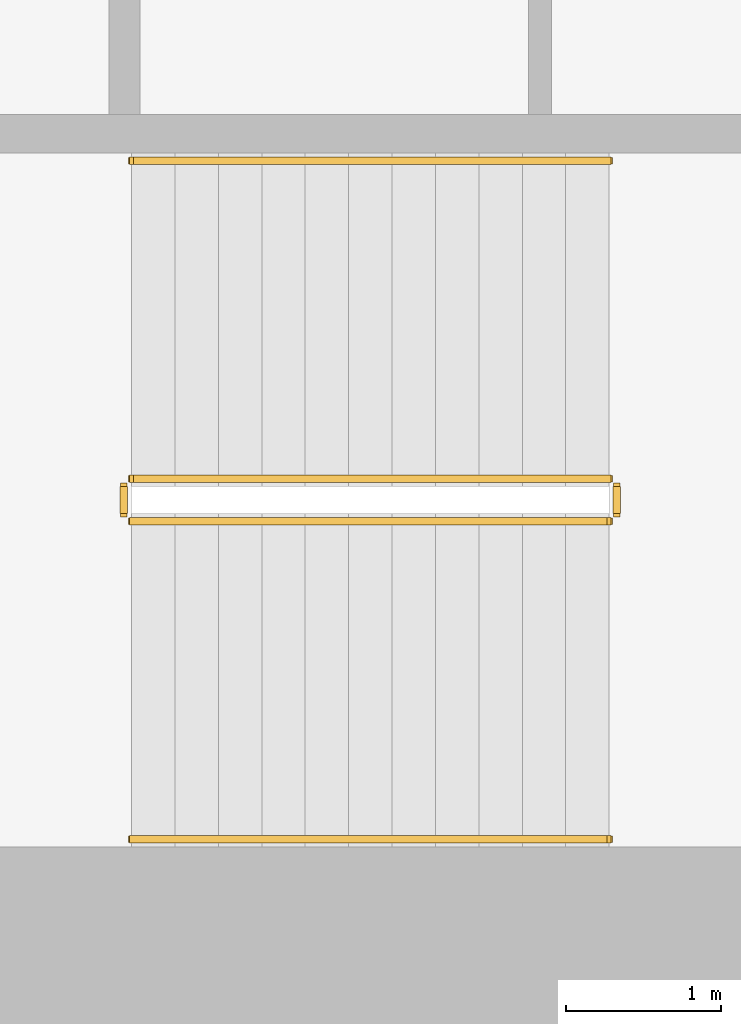
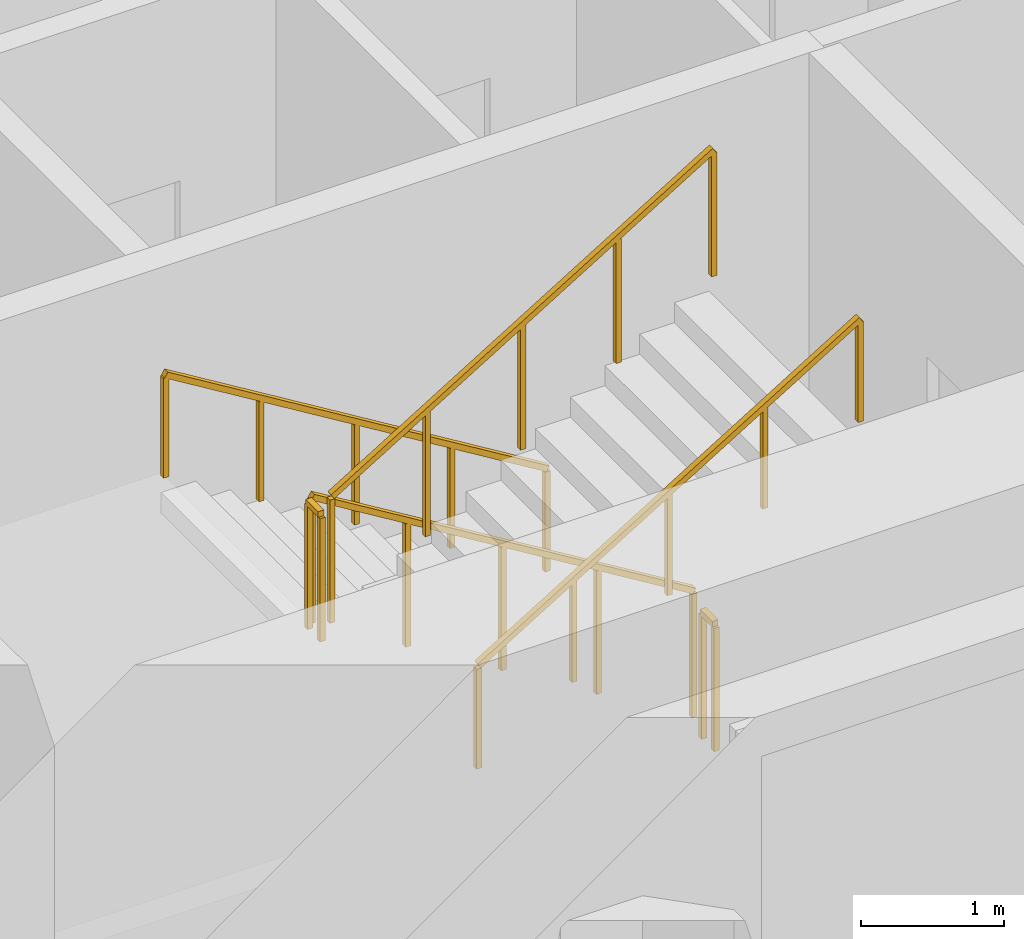
# One storey, part 12 of 17: 6 railings.
"""IFC4 building model written with IfcOpenShell, lengths in metres."""

from ifc_helpers import new_model, si_unit, direction, frame, origin, origin_2d, place, context, subcontext, project, spatial, rectangle, extrude, material, type_object, element, save


model = new_model("IFC4")

# Units and contexts
model_context = context("Model", 3, precision=1e-05, world=origin(), true_north=direction((0.0, 1.0)))
body_context = subcontext(model_context, "Body", "Model", "MODEL_VIEW")
ifc_project = project(units=[si_unit("LENGTHUNIT", "METRE"), si_unit("AREAUNIT", "SQUARE_METRE"), si_unit("VOLUMEUNIT", "CUBIC_METRE"), si_unit("PLANEANGLEUNIT", "RADIAN"), si_unit("MASSUNIT", "GRAM", prefix="KILO")], contexts=[model_context])

# Site, building, storey
site_placement = place(None, origin())
site = spatial("IfcSite", under=ifc_project, at=site_placement, CompositionType="ELEMENT")
building_placement = place(site_placement, origin())
building = spatial("IfcBuilding", under=site, at=building_placement, Name="Cypress Arch Tower", CompositionType="ELEMENT")
storey_placement = place(building_placement, frame((0.0, 0.0, 217.89990234375)))
storey = spatial("IfcBuildingStorey", under=building, at=storey_placement, Name="L48", CompositionType="ELEMENT", Elevation=217.89990234375)

# Railings
ifc_material_1 = material(Name="Black powder-coated steel square bar 48 mm", Category="steel")
railing_type_1 = type_object("IfcRailingType", Name="Stair handrail HR1", PredefinedType="HANDRAIL", material=ifc_material_1)
railing_1_placement = place(storey_placement, frame((-22.27490234375, -10.375, 0.1708984375)))
element("IfcRailing", 1, at=railing_1_placement, inside=storey, type_object=railing_type_1, Name="L48 A stair handrail 1", PredefinedType="HANDRAIL", context=body_context, shape_type="SweptSolid", body=[
    extrude(rectangle(XDim=0.048095703125, YDim=0.048095703125, at=origin_2d()), frame((0.0, 0.0, 0.8759765625), z_axis=(-0.853666305674, 0.0, 0.52082035152), x_axis=(0.0, -1.0, 0.0)), (0.0, 0.0, 1.0), 3.608154296875),
    extrude(rectangle(XDim=0.0419921875, YDim=0.0419921875, at=origin_2d()), origin(), (0.0, 0.0, 1.0), 0.851806640625),
    extrude(rectangle(XDim=0.0419921875, YDim=0.0419921875, at=origin_2d()), frame((-0.77001953125, 0.0, 0.4697265625)), (0.0, 0.0, 1.0), 0.851806640625),
    extrude(rectangle(XDim=0.0419921875, YDim=0.0419921875, at=origin_2d()), frame((-1.5400390625, 0.0, 0.939453125)), (0.0, 0.0, 1.0), 0.851806640625),
    extrude(rectangle(XDim=0.0419921875, YDim=0.0419921875, at=origin_2d()), frame((-2.31005859375, 0.0, 1.409423828125)), (0.0, 0.0, 1.0), 0.851806640625),
    extrude(rectangle(XDim=0.0419921875, YDim=0.0419921875, at=origin_2d()), frame((-3.080078125, 0.0, 1.879150390625)), (0.0, 0.0, 1.0), 0.851806640625),
])
railing_2_placement = place(storey_placement, frame((-25.35498046875, -14.75, 2.220947265625)))
element("IfcRailing", 2, at=railing_2_placement, inside=storey, type_object=railing_type_1, Name="L48 A stair handrail 2", PredefinedType="HANDRAIL", context=body_context, shape_type="SweptSolid", body=[
    extrude(rectangle(XDim=0.048095703125, YDim=0.048095703125, at=origin_2d()), frame((0.0, 0.0, 0.8759765625), z_axis=(0.853666305674, 0.0, 0.52082035152), x_axis=(0.0, 1.0, 0.0)), (0.0, 0.0, 1.0), 3.608154296875),
    extrude(rectangle(XDim=0.0419921875, YDim=0.0419921875, at=origin_2d()), origin(), (0.0, 0.0, 1.0), 0.851806640625),
    extrude(rectangle(XDim=0.0419921875, YDim=0.0419921875, at=origin_2d()), frame((0.77001953125, 0.0, 0.4697265625)), (0.0, 0.0, 1.0), 0.851806640625),
    extrude(rectangle(XDim=0.0419921875, YDim=0.0419921875, at=origin_2d()), frame((1.5400390625, 0.0, 0.939453125)), (0.0, 0.0, 1.0), 0.851806640625),
    extrude(rectangle(XDim=0.0419921875, YDim=0.0419921875, at=origin_2d()), frame((2.31005859375, 0.0, 1.409423828125)), (0.0, 0.0, 1.0), 0.851806640625),
    extrude(rectangle(XDim=0.0419921875, YDim=0.0419921875, at=origin_2d()), frame((3.080078125, 0.0, 1.879150390625)), (0.0, 0.0, 1.0), 0.851806640625),
])
ifc_material_2 = material(Name="Black powder-coated steel balusters", Category="steel")
railing_type_2 = type_object("IfcRailingType", Name="Stair well guard G1", PredefinedType="GUARDRAIL", material=ifc_material_2)
railing_3_placement = place(storey_placement, frame((-22.27490234375, -12.425048828125, 0.1708984375)))
element("IfcRailing", 3, at=railing_3_placement, inside=storey, type_object=railing_type_2, Name="L48 A stair guard 1", PredefinedType="GUARDRAIL", context=body_context, shape_type="SweptSolid", body=[
    extrude(rectangle(XDim=0.048095703125, YDim=0.048095703125, at=origin_2d()), frame((0.0, 0.0, 1.076171875), z_axis=(-0.853666305674, 0.0, 0.52082035152), x_axis=(0.0, -1.0, 0.0)), (0.0, 0.0, 1.0), 3.608154296875),
    extrude(rectangle(XDim=0.0419921875, YDim=0.0419921875, at=origin_2d()), origin(), (0.0, 0.0, 1.0), 1.052001953125),
    extrude(rectangle(XDim=0.0419921875, YDim=0.0419921875, at=origin_2d()), frame((-0.77001953125, 0.0, 0.4697265625)), (0.0, 0.0, 1.0), 1.052001953125),
    extrude(rectangle(XDim=0.0419921875, YDim=0.0419921875, at=origin_2d()), frame((-1.5400390625, 0.0, 0.939453125)), (0.0, 0.0, 1.0), 1.052001953125),
    extrude(rectangle(XDim=0.0419921875, YDim=0.0419921875, at=origin_2d()), frame((-2.31005859375, 0.0, 1.409423828125)), (0.0, 0.0, 1.0), 1.052001953125),
    extrude(rectangle(XDim=0.0419921875, YDim=0.0419921875, at=origin_2d()), frame((-3.080078125, 0.0, 1.879150390625)), (0.0, 0.0, 1.0), 1.052001953125),
])
railing_4_placement = place(storey_placement, frame((-25.405029296875, -12.47509765625, 2.050048828125)))
element("IfcRailing", 4, at=railing_4_placement, inside=storey, type_object=railing_type_2, Name="L48 A stair guard 2", PredefinedType="GUARDRAIL", context=body_context, shape_type="SweptSolid", body=[
    extrude(rectangle(XDim=0.048095703125, YDim=0.048095703125, at=origin_2d()), frame((0.0, 0.0, 1.076171875), z_axis=(0.0, -1.0, 0.0), x_axis=(1.0, 0.0, 0.0)), (0.0, 0.0, 1.0), 0.1748046875),
    extrude(rectangle(XDim=0.0419921875, YDim=0.0419921875, at=origin_2d()), origin(), (0.0, 0.0, 1.0), 1.052001953125),
    extrude(rectangle(XDim=0.0419921875, YDim=0.0419921875, at=origin_2d()), frame((0.0, -0.1748046875, 0.0)), (0.0, 0.0, 1.0), 1.052001953125),
])
railing_5_placement = place(storey_placement, frame((-25.35498046875, -12.699951171875, 2.220947265625)))
element("IfcRailing", 5, at=railing_5_placement, inside=storey, type_object=railing_type_2, Name="L48 A stair guard 3", PredefinedType="GUARDRAIL", context=body_context, shape_type="SweptSolid", body=[
    extrude(rectangle(XDim=0.048095703125, YDim=0.048095703125, at=origin_2d()), frame((0.0, 0.0, 1.076171875), z_axis=(0.853666305674, 0.0, 0.52082035152), x_axis=(0.0, 1.0, 0.0)), (0.0, 0.0, 1.0), 3.608154296875),
    extrude(rectangle(XDim=0.0419921875, YDim=0.0419921875, at=origin_2d()), origin(), (0.0, 0.0, 1.0), 1.052001953125),
    extrude(rectangle(XDim=0.0419921875, YDim=0.0419921875, at=origin_2d()), frame((0.77001953125, 0.0, 0.4697265625)), (0.0, 0.0, 1.0), 1.052001953125),
    extrude(rectangle(XDim=0.0419921875, YDim=0.0419921875, at=origin_2d()), frame((1.5400390625, 0.0, 0.939453125)), (0.0, 0.0, 1.0), 1.052001953125),
    extrude(rectangle(XDim=0.0419921875, YDim=0.0419921875, at=origin_2d()), frame((2.31005859375, 0.0, 1.409423828125)), (0.0, 0.0, 1.0), 1.052001953125),
    extrude(rectangle(XDim=0.0419921875, YDim=0.0419921875, at=origin_2d()), frame((3.080078125, 0.0, 1.879150390625)), (0.0, 0.0, 1.0), 1.052001953125),
])
railing_6_placement = place(storey_placement, frame((-22.22509765625, -12.47509765625, 0.0)))
element("IfcRailing", 6, at=railing_6_placement, inside=storey, type_object=railing_type_2, Name="L48 A stair guard 4", PredefinedType="GUARDRAIL", context=body_context, shape_type="SweptSolid", body=[
    extrude(rectangle(XDim=0.048095703125, YDim=0.048095703125, at=origin_2d()), frame((0.0, 0.0, 1.076171875), z_axis=(0.0, -1.0, 0.0), x_axis=(1.0, 0.0, 0.0)), (0.0, 0.0, 1.0), 0.1748046875),
    extrude(rectangle(XDim=0.0419921875, YDim=0.0419921875, at=origin_2d()), origin(), (0.0, 0.0, 1.0), 1.052001953125),
    extrude(rectangle(XDim=0.0419921875, YDim=0.0419921875, at=origin_2d()), frame((0.0, -0.1748046875, 0.0)), (0.0, 0.0, 1.0), 1.052001953125),
])

save(model, "model.ifc")
